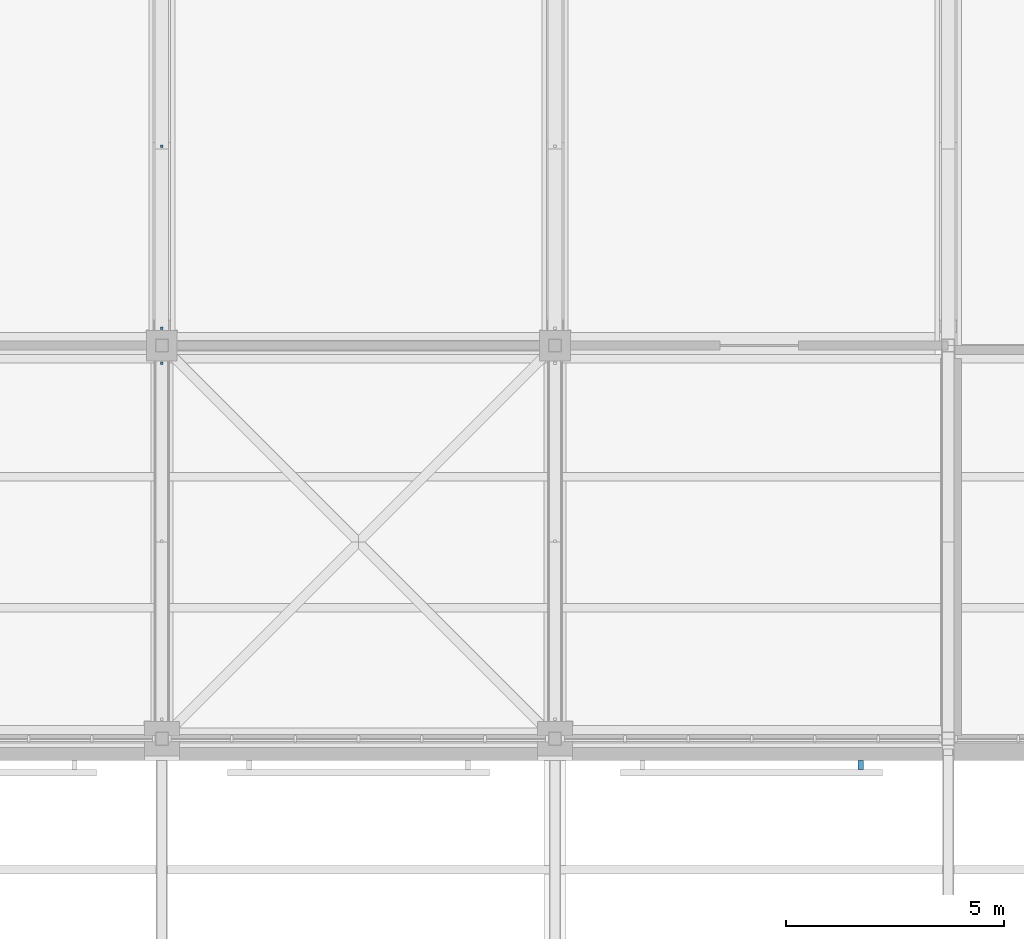
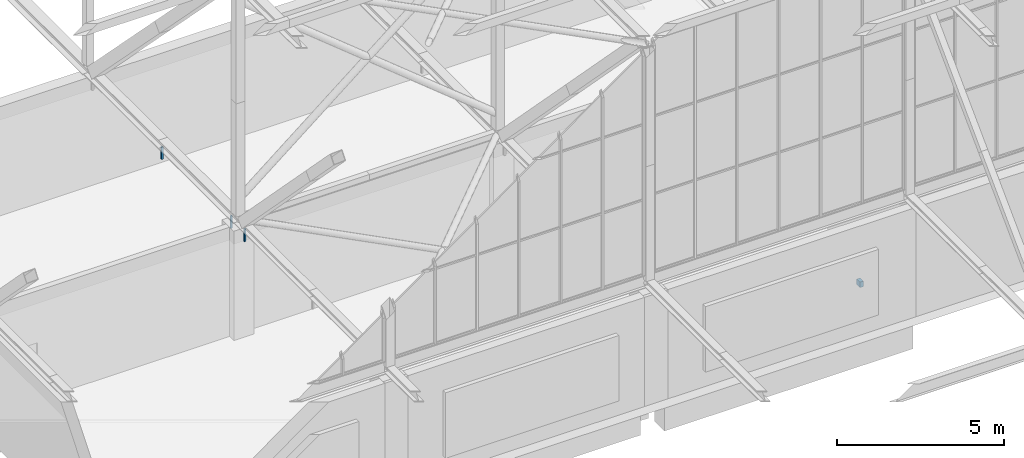
# One storey, part 189 of 646: 4 discrete accessories.
"""IFC4 building model written with IfcOpenShell, lengths in metres."""

from ifc_helpers import new_model, si_unit, direction, frame, origin, origin_2d, place, context, subcontext, project, spatial, rectangle, extrude, material, type_object, element, save


model = new_model("IFC4")

# Units and contexts
model_context = context("Model", 3, precision=1e-05, world=origin(), true_north=direction((0.0, 1.0)))
body_context = subcontext(model_context, "Body", "Model", "MODEL_VIEW")
ifc_project = project(units=[si_unit("LENGTHUNIT", "METRE"), si_unit("AREAUNIT", "SQUARE_METRE"), si_unit("VOLUMEUNIT", "CUBIC_METRE"), si_unit("PLANEANGLEUNIT", "RADIAN"), si_unit("MASSUNIT", "GRAM", prefix="KILO")], contexts=[model_context])

# Site, building, storey
site_placement = place(None, origin())
site = spatial("IfcSite", under=ifc_project, at=site_placement, CompositionType="ELEMENT")
building_placement = place(site_placement, origin())
building = spatial("IfcBuilding", under=site, at=building_placement, Name="Silverbay Arena", CompositionType="ELEMENT")
storey_placement = place(building_placement, frame((0.0, 0.0, 33.5)))
storey = spatial("IfcBuildingStorey", under=building, at=storey_placement, Name="L05", CompositionType="ELEMENT", Elevation=33.5)

# Discrete accessories
ifc_material_1 = material(Name="Steel S355", Category="steel")
discrete_accessory_type_1 = type_object("IfcDiscreteAccessoryType", Name="Ceiling hanger", PredefinedType="BRACKET", material=ifc_material_1)
for number, where, z_axis, x_axis, name in (
    (1, (126.0, 27.39990234375, 3.5498046875), (0.0, 0.0, 1.0), (1.0, 0.0, 0.0), "Ceiling hanger"),
    (2, (126.0, 31.56494140625, 3.5498046875), (0.0, 0.0, 1.0), (1.0, 0.0, 0.0), "Ceiling hanger"),
    (3, (126.0, 26.60009765625, 3.5498046875), (0.0, 0.0, 1.0), (1.0, 0.0, 0.0), "Ceiling hanger"),
):
    element("IfcDiscreteAccessory", number, at=place(storey_placement, frame(where, z_axis=z_axis, x_axis=x_axis)), inside=storey, type_object=discrete_accessory_type_1, Name=name, PredefinedType="BRACKET", context=body_context, shape_type="SweptSolid", body=[
        extrude(rectangle(XDim=0.06005859375, YDim=0.06005859375, at=origin_2d()), origin(), (0.0, 0.0, 1.0), 0.449951171875),
    ])
ifc_material_2 = material(Name="Steel S355", Category="steel")
discrete_accessory_type_2 = type_object("IfcDiscreteAccessoryType", Name="Steel bracket plate", PredefinedType="BRACKET", material=ifc_material_2)
discrete_accessory_placement = place(storey_placement, frame((142.0, 17.39990234375, 1.89990234375), z_axis=(0.0, 0.0, 1.0), x_axis=(1.0, 0.0, 0.0)))
element("IfcDiscreteAccessory", 4, at=discrete_accessory_placement, inside=storey, type_object=discrete_accessory_type_2, Name="Louvre support bracket", PredefinedType="BRACKET", context=body_context, shape_type="SweptSolid", body=[
    extrude(rectangle(XDim=0.1201171875, YDim=0.199951171875, at=origin_2d()), origin(), (0.0, 0.0, 1.0), 0.199951171875),
])

save(model, "model.ifc")
